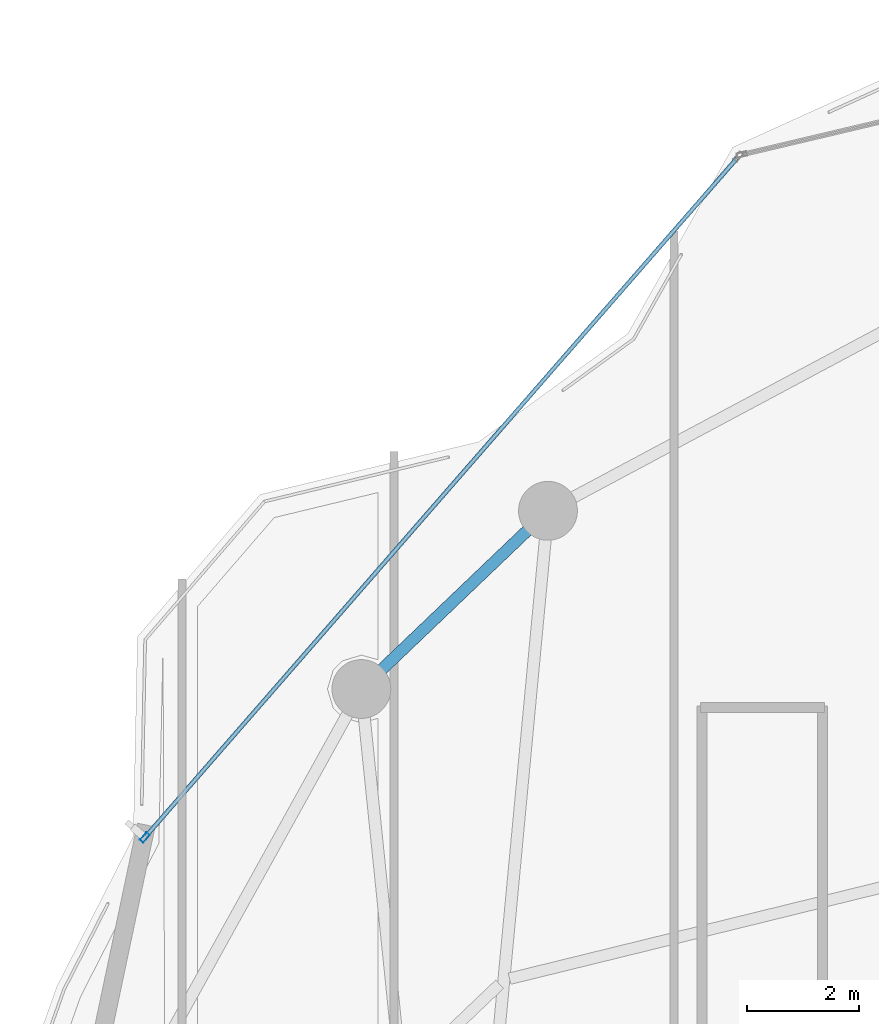
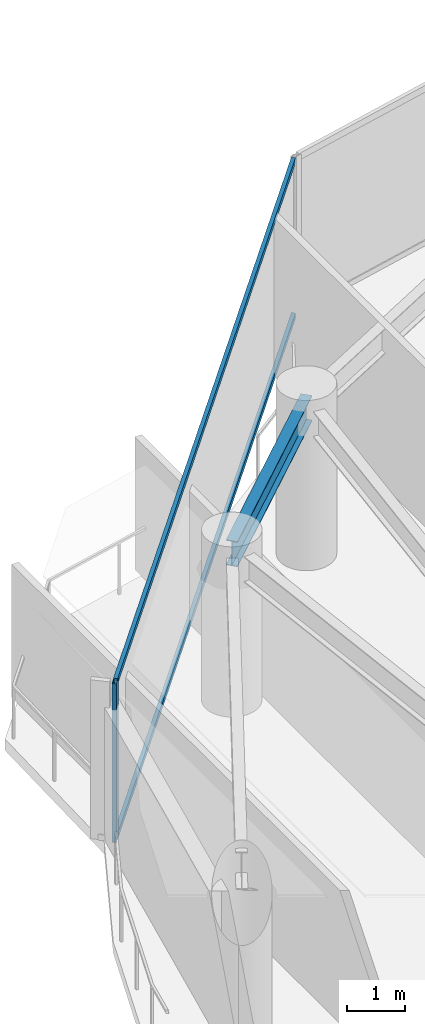
# One storey, part 16 of 29: 3 members, 1 beam, 1 element without a shape of its own.
"""IFC4 building model written with IfcOpenShell, lengths in metres."""

from ifc_helpers import new_model, si_unit, direction, frame, origin, origin_2d, place, context, subcontext, project, spatial, hollow_rectangle, i_section, extrude, material, layer, layer_set, material_profile, profile_set, type_object, element, aggregate, save


model = new_model("IFC4")

# Units and contexts
model_context = context("Model", 3, precision=1e-05, world=origin(), true_north=direction((0.0, 1.0)))
body_context = subcontext(model_context, "Body", "Model", "MODEL_VIEW")
ifc_project = project(units=[si_unit("LENGTHUNIT", "METRE"), si_unit("AREAUNIT", "SQUARE_METRE"), si_unit("VOLUMEUNIT", "CUBIC_METRE"), si_unit("PLANEANGLEUNIT", "RADIAN"), si_unit("MASSUNIT", "GRAM", prefix="KILO")], contexts=[model_context])

# Site, building, storey
site_placement = place(None, origin())
site = spatial("IfcSite", under=ifc_project, at=site_placement, CompositionType="ELEMENT")
building_placement = place(site_placement, origin())
building = spatial("IfcBuilding", under=site, at=building_placement, Name="Kazevale Care Tower and Concert Hall", CompositionType="ELEMENT")
storey_placement = place(building_placement, frame((0.0, 0.0, 199.199951171875)))
storey = spatial("IfcBuildingStorey", under=building, at=storey_placement, Name="L52", CompositionType="ELEMENT", Elevation=199.199951171875)

# Curtain wall, members
ifc_material_1 = material(Name="Aluminium 6063-T6 and Low-E Glass", Category="aluminium")
ifc_layer = layer(ifc_material_1, 0.179931640625)
ifc_layer_set = layer_set([ifc_layer], Name="Aluminium 6063-T6 and Low-E Glass")
curtain_wall_type = type_object("IfcCurtainWallType", Name="Convex Checkerboard Finned Curtain Wall CW-2", PredefinedType="NOTDEFINED", material=ifc_layer_set)
curtain_wall_placement = place(storey_placement, origin())
curtain_wall = element("IfcCurtainWall", 1, at=curtain_wall_placement, inside=storey, type_object=curtain_wall_type, Name="cw:L52:f14", PredefinedType="NOTDEFINED")
ifc_material_2 = material(Name="Aluminium 6063-T6", Category="aluminium")
ifc_material_profile_1 = material_profile(ifc_material_2, hollow_rectangle(XDim=0.080078125, YDim=0.179931640625, WallThickness=0.0048828125, at=origin_2d()), Name="ALU80x180x5")
ifc_profile_set_1 = profile_set([ifc_material_profile_1], Name="Aluminium 6063-T6")
member_type_1 = type_object("IfcMemberType", Name="CW-2 Mullion ALU80x180x5", PredefinedType="MULLION", material=ifc_profile_set_1)
member_1_placement = place(storey_placement, frame((16.55419921875, 49.17919921875, 0.0), z_axis=(0.0, 0.0, 1.0), x_axis=(-0.753738225685, 0.657174776708, 0.0)))
member_1 = element("IfcMember", 2, at=member_1_placement, type_object=member_type_1, Name="CW-2 mullion 1", PredefinedType="MULLION", context=body_context, shape_type="SweptSolid", body=[
    extrude(hollow_rectangle(XDim=0.080078125, YDim=0.179931640625, WallThickness=0.0048828125, at=origin_2d()), origin(), (0.0, 0.0, 1.0), 3.360107421875),
])
ifc_material_profile_2 = material_profile(ifc_material_2, hollow_rectangle(XDim=0.074951171875, YDim=0.1201171875, WallThickness=0.00390625, at=origin_2d()), Name="ALU75x120x4")
ifc_profile_set_2 = profile_set([ifc_material_profile_2], Name="Aluminium 6063-T6")
member_type_2 = type_object("IfcMemberType", Name="CW-2 Transom ALU75x120x4", PredefinedType="USERDEFINED", material=ifc_profile_set_2)
member_2_placement = place(storey_placement, frame((16.58056640625, 49.209228515625, 0.03759765625), z_axis=(0.657173569472, 0.753739278257, 0.0), x_axis=(-0.753739278257, 0.657173569472, 0.0)))
member_2 = element("IfcMember", 3, at=member_2_placement, type_object=member_type_2, Name="CW-2 transom 1.1", ObjectType="TRANSOM", PredefinedType="USERDEFINED", context=body_context, shape_type="SweptSolid", body=[
    extrude(hollow_rectangle(XDim=0.074951171875, YDim=0.1201171875, WallThickness=0.00390625, at=origin_2d()), origin(), (0.0, 0.0, 1.0), 16.03662109375),
])
member_3_placement = place(storey_placement, frame((16.58056640625, 49.209228515625, 3.322509765625), z_axis=(0.657173569472, 0.753739278257, 0.0), x_axis=(-0.753739278257, 0.657173569472, 0.0)))
member_3 = element("IfcMember", 4, at=member_3_placement, type_object=member_type_2, Name="CW-2 transom 1.2", ObjectType="TRANSOM", PredefinedType="USERDEFINED", context=body_context, shape_type="SweptSolid", body=[
    extrude(hollow_rectangle(XDim=0.074951171875, YDim=0.1201171875, WallThickness=0.00390625, at=origin_2d()), origin(), (0.0, 0.0, 1.0), 16.03662109375),
])
aggregate(curtain_wall, [member_1, member_2, member_3])

# Beam
ifc_material_3 = material(Name="Steel ASTM A572 Gr 50", Category="steel")
ifc_material_profile_3 = material_profile(ifc_material_3, i_section(OverallWidth=0.208984375, OverallDepth=0.532958984375, WebThickness=0.01025390625, FlangeThickness=0.015625, at=origin_2d()), Name="W530x92")
ifc_profile_set_3 = profile_set([ifc_material_profile_3], Name="Steel ASTM A572 Gr 50")
beam_type = type_object("IfcBeamType", Name="Upper Ring Beam W530x92", PredefinedType="BEAM", material=ifc_profile_set_3)
beam_placement = place(storey_placement, frame((23.75, 55.010009765625, 3.093505859375), z_axis=(-0.723223118589, -0.690614451585, 0.0), x_axis=(0.690614451585, -0.723223118589, 0.0)))
element("IfcBeam", 5, at=beam_placement, inside=storey, type_object=beam_type, Name="beam:L52:ring:07", PredefinedType="BEAM", context=body_context, shape_type="SweptSolid", body=[
    extrude(i_section(OverallWidth=0.208984375, OverallDepth=0.532958984375, WebThickness=0.01025390625, FlangeThickness=0.015625, at=origin_2d()), origin(), (0.0, 0.0, 1.0), 4.6044921875),
])

save(model, "model.ifc")
